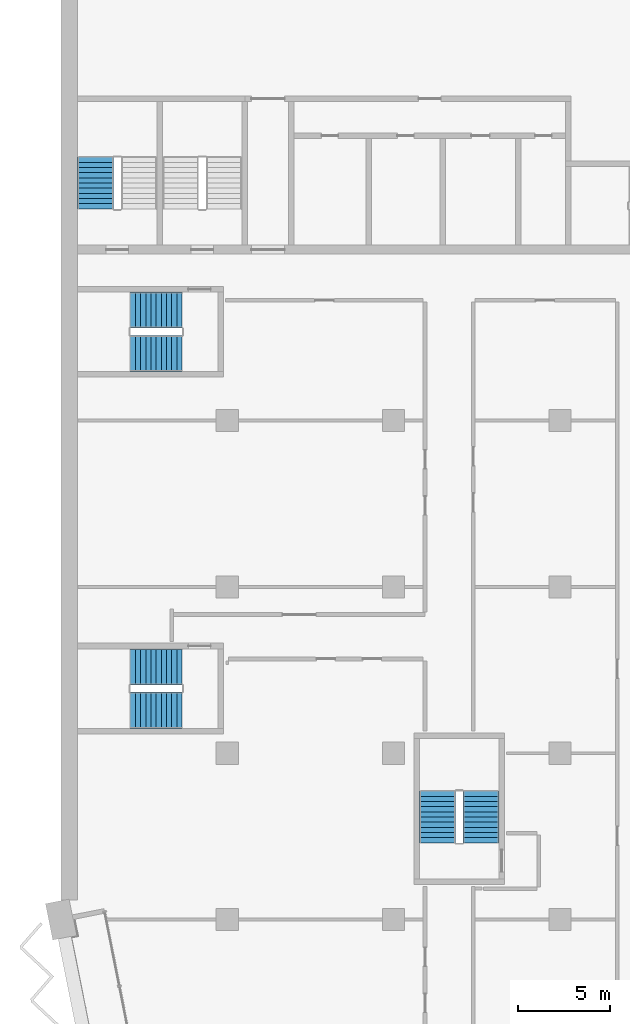
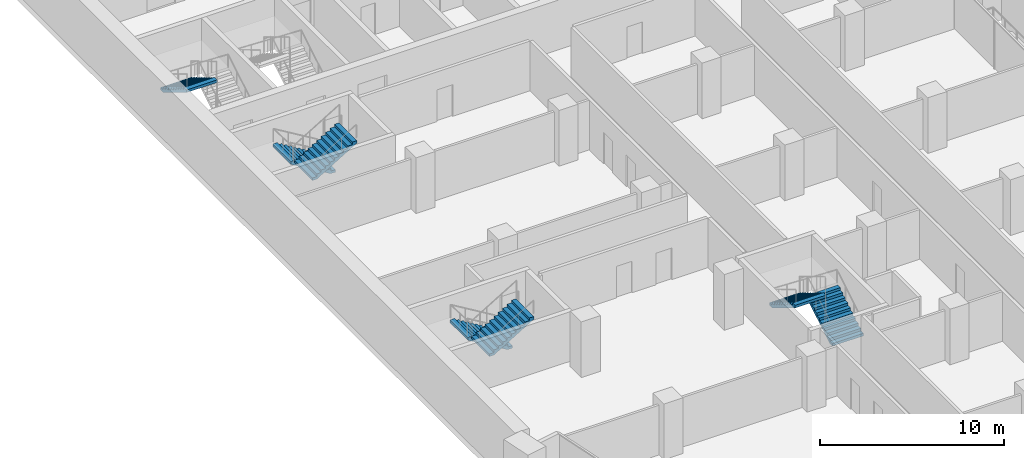
# One storey, part 16 of 23: 7 stair flights, 4 elements without a shape of their own.
"""IFC4 building model written with IfcOpenShell, lengths in metres."""

import ifcopenshell
import ifcopenshell.guid

model = None  # the IFC model being written
_history = None  # IfcOwnerHistory: only IFC2X3 demands one
_inside = {}  # id of a spatial element -> (the spatial element, [elements in it])
_under = {}  # id of a project, library or spatial element -> (it, [spatial elements below it])
_declared = {}  # id of a project -> (the project, [libraries it declares])
_typed = {}  # id of a type object -> (the type object, [elements of that type])
_made_of = {}  # id of a material, layer set ... -> (it, [elements and type objects made of it])


def new_model(schema):
    """Start an empty IFC model of exactly this schema.

    Asked for "IFC4X3", IfcOpenShell would pick the latest addendum, in which some entities
    have other attributes; the version numbers below select the first issue.
    IFC2X3 requires an IfcOwnerHistory on every rooted entity: one is made here for all.
    """
    global model, _history
    if schema == "IFC4X3":
        model = ifcopenshell.file(schema_version=(4, 3, 0, 0))
    else:
        model = ifcopenshell.file(schema=schema)
    _inside.clear()
    _under.clear()
    _declared.clear()
    _typed.clear()
    _made_of.clear()
    _history = None
    if model.schema == "IFC2X3":
        org = make("IfcOrganization", Name="unknown")
        user = make(
            "IfcPersonAndOrganization",
            ThePerson=make("IfcPerson", FamilyName="unknown"),
            TheOrganization=org,
        )
        app = make(
            "IfcApplication",
            ApplicationDeveloper=org,
            Version="unknown",
            ApplicationFullName="unknown",
            ApplicationIdentifier="unknown",
        )
        _history = make(
            "IfcOwnerHistory",
            OwningUser=user,
            OwningApplication=app,
            ChangeAction="ADDED",
            CreationDate=0,
        )
    return model


def make(cls, **values):
    """One entity of the class cls with the attributes given. An attribute that is None is left unset."""
    return model.create_entity(
        cls, **{name: value for name, value in values.items() if value is not None}
    )


def rooted(cls, **values):
    """An entity with a GlobalId (a new one), such as an element, a storey or a relation."""
    return make(cls, GlobalId=ifcopenshell.guid.new(), OwnerHistory=_history, **values)


def si_unit(unit_type, name, prefix=None):
    """IfcSIUnit, for example si_unit("LENGTHUNIT", "METRE", prefix="MILLI")."""
    return make("IfcSIUnit", UnitType=unit_type, Prefix=prefix, Name=name)


def assignment(units):
    """IfcUnitAssignment: the units of a project."""
    return None if units is None else make("IfcUnitAssignment", Units=units)


def point(xyz):
    """IfcCartesianPoint."""
    return None if xyz is None else make("IfcCartesianPoint", Coordinates=xyz)


def direction(xyz):
    """IfcDirection."""
    return None if xyz is None else make("IfcDirection", DirectionRatios=xyz)


def frame(location, z_axis=None, x_axis=None):
    """IfcAxis2Placement3D, a coordinate frame: its origin and axes. An axis left out is left unset."""
    return make(
        "IfcAxis2Placement3D",
        Location=point(location),
        Axis=direction(z_axis),
        RefDirection=direction(x_axis),
    )


def origin():
    """The frame at (0, 0, 0) with its axes left unset."""
    return frame((0.0, 0.0, 0.0))


def place(relative_to, where):
    """IfcLocalPlacement: puts the frame where relative to a parent placement (None: the world)."""
    return make(
        "IfcLocalPlacement", PlacementRelTo=relative_to, RelativePlacement=where
    )


def context(
    kind, dimensions, precision=None, world=None, true_north=None, identifier=None
):
    """IfcGeometricRepresentationContext, for example the 3D "Model" context."""
    return make(
        "IfcGeometricRepresentationContext",
        ContextIdentifier=identifier,
        ContextType=kind,
        CoordinateSpaceDimension=dimensions,
        Precision=precision,
        WorldCoordinateSystem=world,
        TrueNorth=true_north,
    )


def subcontext(parent, identifier, kind, view, scale=None):
    """IfcGeometricRepresentationSubContext, for example "Body" below "Model"."""
    return make(
        "IfcGeometricRepresentationSubContext",
        ContextIdentifier=identifier,
        ContextType=kind,
        ParentContext=parent,
        TargetScale=scale,
        TargetView=view,
    )


def project(units=None, contexts=None):
    """IfcProject with its units and contexts."""
    return rooted(
        "IfcProject",
        Name="project",
        RepresentationContexts=contexts,
        UnitsInContext=assignment(units),
    )


def spatial(cls, under=None, at=None, **own):
    """A site, building, storey or space (cls), placed at a placement, below another one or the project."""
    s = rooted(cls, ObjectPlacement=at, **own)
    if under is not None:
        _under.setdefault(under.id(), (under, []))[1].append(s)
    return s


def polyline(points):
    """IfcPolyline through the points."""
    return make("IfcPolyline", Points=[point(p) for p in points])


def outline(outer, holes=None, kind="AREA"):
    """IfcArbitraryClosedProfileDef: a profile drawn as a closed curve; with holes, ...WithVoids."""
    if holes is None:
        return make("IfcArbitraryClosedProfileDef", ProfileType=kind, OuterCurve=outer)
    return make(
        "IfcArbitraryProfileDefWithVoids",
        ProfileType=kind,
        OuterCurve=outer,
        InnerCurves=holes,
    )


def extrude(swept, where, along, depth):
    """IfcExtrudedAreaSolid: the profile swept, set in the frame where, extruded along a direction by depth."""
    return make(
        "IfcExtrudedAreaSolid",
        SweptArea=swept,
        Position=where,
        ExtrudedDirection=direction(along),
        Depth=depth,
    )


def shape(context_of_items, identifier, shape_type, items):
    """IfcShapeRepresentation: the items that make up one representation, for example the "Body"."""
    return make(
        "IfcShapeRepresentation",
        ContextOfItems=context_of_items,
        RepresentationIdentifier=identifier,
        RepresentationType=shape_type,
        Items=items,
    )


def material(Name=None, Category=None):
    """IfcMaterial."""
    return make("IfcMaterial", Name=Name, Category=Category)


def made_of(thing, what):
    """Note that an element or type object is made of a material, layer set ...; save() writes the relation."""
    if what is not None:
        _made_of.setdefault(what.id(), (what, []))[1].append(thing)
    return thing


def type_object(cls, material=None, **own):
    """A type object (cls), such as IfcWallType, which elements share."""
    return made_of(rooted(cls, **own), material)


def element(
    cls,
    number,
    at=None,
    inside=None,
    cuts=None,
    type_object=None,
    material=None,
    context=None,
    identifier="Body",
    shape_type=None,
    held_by="IfcProductDefinitionShape",
    body=None,
    shapes=None,
    **own,
):
    """One element of the class cls, such as IfcWall. Its Tag is "e" and its number.

    at: its placement. inside: the storey or other place that contains it. cuts: it is an
    opening in that element (IfcRelVoidsElement). A single representation is given by context,
    identifier, shape_type and body (its items); several are given by shapes. held_by: the class
    of the entity that holds the representations. save() writes the other relations.
    """
    e = rooted(cls, Tag="e%d" % number, ObjectPlacement=at, **own)
    if body is not None:
        shapes = [shape(context, identifier, shape_type, body)]
    if shapes is not None:
        e.Representation = make(held_by, Representations=shapes)
    if inside is not None:
        _inside.setdefault(inside.id(), (inside, []))[1].append(e)
    if cuts is not None:
        rooted(
            "IfcRelVoidsElement", RelatingBuildingElement=cuts, RelatedOpeningElement=e
        )
    if type_object is not None:
        _typed.setdefault(type_object.id(), (type_object, []))[1].append(e)
    return made_of(e, material)


def aggregate(whole, parts):
    """IfcRelAggregates: a whole, such as a stair, and the parts it consists of."""
    return rooted("IfcRelAggregates", RelatingObject=whole, RelatedObjects=parts)


def save(model, path):
    """Write the relations noted so far, then the file.

    IfcRelAggregates (storeys below a building ...), IfcRelContainedInSpatialStructure (elements
    in a storey), IfcRelDefinesByType, IfcRelAssociatesMaterial and IfcRelDeclares: one each for
    every whole, place, type object, material and project.
    """
    for whole, parts in _under.values():
        aggregate(whole, parts)
    for where, things in _inside.values():
        rooted(
            "IfcRelContainedInSpatialStructure",
            RelatedElements=things,
            RelatingStructure=where,
        )
    for kind, things in _typed.values():
        rooted("IfcRelDefinesByType", RelatedObjects=things, RelatingType=kind)
    for what, things in _made_of.values():
        rooted("IfcRelAssociatesMaterial", RelatedObjects=things, RelatingMaterial=what)
    for by, libraries in _declared.values():
        rooted("IfcRelDeclares", RelatingContext=by, RelatedDefinitions=libraries)
    model.write(path)


model = new_model("IFC4")

# Units and contexts
model_context = context("Model", 3, precision=1e-05, world=origin(), true_north=direction((0.0, 1.0)))
body_context = subcontext(model_context, "Body", "Model", "MODEL_VIEW")
ifc_project = project(units=[si_unit("LENGTHUNIT", "METRE"), si_unit("AREAUNIT", "SQUARE_METRE"), si_unit("VOLUMEUNIT", "CUBIC_METRE"), si_unit("PLANEANGLEUNIT", "RADIAN"), si_unit("MASSUNIT", "GRAM", prefix="KILO")], contexts=[model_context])

# Site, building, storey
site_placement = place(None, origin())
site = spatial("IfcSite", under=ifc_project, at=site_placement, CompositionType="ELEMENT")
building_placement = place(site_placement, origin())
building = spatial("IfcBuilding", under=site, at=building_placement, Name="Hunhe Ridgeline Campus", CompositionType="ELEMENT")
storey_placement = place(building_placement, frame((0.0, 0.0, 144.89990234375)))
storey = spatial("IfcBuildingStorey", under=building, at=storey_placement, Name="L36", CompositionType="ELEMENT", Elevation=144.89990234375)

# Stair, stair flight
ifc_material = material(Name="Concrete C40", Category="concrete")
stair_type = type_object("IfcStairType", Name="Reinforced concrete dog-leg stair 1950 Concrete C40", PredefinedType="HALF_TURN_STAIR", material=ifc_material)
stair_1_placement = place(storey_placement, origin())
stair_1 = element("IfcStair", 1, at=stair_1_placement, inside=storey, type_object=stair_type, Name="L36 S3", PredefinedType="HALF_TURN_STAIR")
stair_flight_type = type_object("IfcStairFlightType", Name="Reinforced concrete stair flight 1950 Concrete C40", PredefinedType="STRAIGHT", material=ifc_material)
stair_flight_1_placement = place(storey_placement, frame((1.875, 68.25, 1.85009765625), z_axis=(0.0, 0.0, 1.0), x_axis=(0.0, -1.0, 0.0)))
stair_flight_1 = element("IfcStairFlight", 2, at=stair_flight_1_placement, type_object=stair_flight_type, Name="ST3 flight 2", NumberOfRisers=11, NumberOfTreads=10, PredefinedType="STRAIGHT", RiserHeight=0.168181818, TreadLength=0.28, context=body_context, shape_type="SweptSolid", body=[
    extrude(outline(polyline([(0.0, 0.0), (0.0, 0.168212890625), (0.280029296875, 0.168212890625), (0.280029296875, 0.33642578125), (0.56005859375, 0.33642578125), (0.56005859375, 0.504638671875), (0.840087890625, 0.504638671875), (0.840087890625, 0.672607421875), (1.1201171875, 0.672607421875), (1.1201171875, 0.8408203125), (1.39990234375, 0.8408203125), (1.39990234375, 1.009033203125), (1.679931640625, 1.009033203125), (1.679931640625, 1.17724609375), (1.9599609375, 1.17724609375), (1.9599609375, 1.345458984375), (2.239990234375, 1.345458984375), (2.239990234375, 1.513671875), (2.52001953125, 1.513671875), (2.52001953125, 1.681884765625), (2.800048828125, 1.681884765625), (2.800048828125, 1.85009765625), (2.800048828125, 1.5068359375), (0.291015625, 0.0), (0.0, 0.0)])), frame((0.0, 0.97509765625, 0.0), z_axis=(0.0, -1.0, 0.0), x_axis=(1.0, 0.0, 0.0)), (0.0, 0.0, 1.0), 1.949951171875),
    extrude(outline(polyline([(0.030029296875, 0.030029296875), (0.030029296875, 0.13818359375), (0.31005859375, 0.13818359375), (0.31005859375, 0.306396484375), (0.590087890625, 0.306396484375), (0.590087890625, 0.474609375), (0.8701171875, 0.474609375), (0.8701171875, 0.642578125), (1.14990234375, 0.642578125), (1.14990234375, 0.810791015625), (1.429931640625, 0.810791015625), (1.429931640625, 0.97900390625), (1.7099609375, 0.97900390625), (1.7099609375, 1.147216796875), (1.989990234375, 1.147216796875), (1.989990234375, 1.3154296875), (2.27001953125, 1.3154296875), (2.27001953125, 1.483642578125), (2.550048828125, 1.483642578125), (2.550048828125, 1.65185546875), (2.77001953125, 1.65185546875), (2.77001953125, 1.52392578125), (0.28271484375, 0.030029296875), (0.030029296875, 0.030029296875)])), frame((0.0, -0.070068359375, 0.0), z_axis=(0.0, -1.0, 0.0), x_axis=(1.0, 0.0, 0.0)), (0.0, 0.0, 1.0), 0.019775390625),
    extrude(outline(polyline([(0.030029296875, 0.030029296875), (0.030029296875, 0.13818359375), (0.31005859375, 0.13818359375), (0.31005859375, 0.306396484375), (0.590087890625, 0.306396484375), (0.590087890625, 0.474609375), (0.8701171875, 0.474609375), (0.8701171875, 0.642578125), (1.14990234375, 0.642578125), (1.14990234375, 0.810791015625), (1.429931640625, 0.810791015625), (1.429931640625, 0.97900390625), (1.7099609375, 0.97900390625), (1.7099609375, 1.147216796875), (1.989990234375, 1.147216796875), (1.989990234375, 1.3154296875), (2.27001953125, 1.3154296875), (2.27001953125, 1.483642578125), (2.550048828125, 1.483642578125), (2.550048828125, 1.65185546875), (2.77001953125, 1.65185546875), (2.77001953125, 1.52392578125), (0.28271484375, 0.030029296875), (0.030029296875, 0.030029296875)])), frame((0.0, 0.010009765625, 0.0), z_axis=(0.0, -1.0, 0.0), x_axis=(1.0, 0.0, 0.0)), (0.0, 0.0, 1.0), 0.019775390625),
    extrude(outline(polyline([(0.030029296875, 0.030029296875), (0.030029296875, 0.13818359375), (0.31005859375, 0.13818359375), (0.31005859375, 0.306396484375), (0.590087890625, 0.306396484375), (0.590087890625, 0.474609375), (0.8701171875, 0.474609375), (0.8701171875, 0.642578125), (1.14990234375, 0.642578125), (1.14990234375, 0.810791015625), (1.429931640625, 0.810791015625), (1.429931640625, 0.97900390625), (1.7099609375, 0.97900390625), (1.7099609375, 1.147216796875), (1.989990234375, 1.147216796875), (1.989990234375, 1.3154296875), (2.27001953125, 1.3154296875), (2.27001953125, 1.483642578125), (2.550048828125, 1.483642578125), (2.550048828125, 1.65185546875), (2.77001953125, 1.65185546875), (2.77001953125, 1.52392578125), (0.28271484375, 0.030029296875), (0.030029296875, 0.030029296875)])), frame((0.0, 0.090087890625, 0.0), z_axis=(0.0, -1.0, 0.0), x_axis=(1.0, 0.0, 0.0)), (0.0, 0.0, 1.0), 0.019775390625),
])
aggregate(stair_1, [stair_flight_1])

# Stair, stair flights
stair_2_placement = place(storey_placement, origin())
stair_2 = element("IfcStair", 3, at=stair_2_placement, inside=storey, type_object=stair_type, Name="L36 W3", PredefinedType="HALF_TURN_STAIR")
stair_flight_2_placement = place(storey_placement, frame((22.72509765625, 31.14990234375, 0.0), z_axis=(0.0, 0.0, 1.0), x_axis=(0.0, 1.0, 0.0)))
stair_flight_2 = element("IfcStairFlight", 4, at=stair_flight_2_placement, type_object=stair_flight_type, Name="ST9 flight 1", NumberOfRisers=11, NumberOfTreads=10, PredefinedType="STRAIGHT", RiserHeight=0.168181818, TreadLength=0.28, context=body_context, shape_type="SweptSolid", body=[
    extrude(outline(polyline([(0.0, 0.0), (0.0, 0.168212890625), (0.280029296875, 0.168212890625), (0.280029296875, 0.33642578125), (0.56005859375, 0.33642578125), (0.56005859375, 0.504638671875), (0.840087890625, 0.504638671875), (0.840087890625, 0.672607421875), (1.1201171875, 0.672607421875), (1.1201171875, 0.8408203125), (1.39990234375, 0.8408203125), (1.39990234375, 1.009033203125), (1.679931640625, 1.009033203125), (1.679931640625, 1.17724609375), (1.9599609375, 1.17724609375), (1.9599609375, 1.345458984375), (2.239990234375, 1.345458984375), (2.239990234375, 1.513671875), (2.52001953125, 1.513671875), (2.52001953125, 1.681884765625), (2.800048828125, 1.681884765625), (2.800048828125, 1.85009765625), (2.800048828125, 1.5068359375), (0.291015625, 0.0), (0.0, 0.0)])), frame((0.0, 0.97509765625, 0.0), z_axis=(0.0, -1.0, 0.0), x_axis=(1.0, 0.0, 0.0)), (0.0, 0.0, 1.0), 1.949951171875),
    extrude(outline(polyline([(0.030029296875, 0.030029296875), (0.030029296875, 0.13818359375), (0.31005859375, 0.13818359375), (0.31005859375, 0.306396484375), (0.590087890625, 0.306396484375), (0.590087890625, 0.474609375), (0.8701171875, 0.474609375), (0.8701171875, 0.642578125), (1.14990234375, 0.642578125), (1.14990234375, 0.810791015625), (1.429931640625, 0.810791015625), (1.429931640625, 0.97900390625), (1.7099609375, 0.97900390625), (1.7099609375, 1.147216796875), (1.989990234375, 1.147216796875), (1.989990234375, 1.3154296875), (2.27001953125, 1.3154296875), (2.27001953125, 1.483642578125), (2.550048828125, 1.483642578125), (2.550048828125, 1.65185546875), (2.77001953125, 1.65185546875), (2.77001953125, 1.52392578125), (0.28271484375, 0.030029296875), (0.030029296875, 0.030029296875)])), frame((0.0, -0.070068359375, 0.0), z_axis=(0.0, -1.0, 0.0), x_axis=(1.0, 0.0, 0.0)), (0.0, 0.0, 1.0), 0.019775390625),
    extrude(outline(polyline([(0.030029296875, 0.030029296875), (0.030029296875, 0.13818359375), (0.31005859375, 0.13818359375), (0.31005859375, 0.306396484375), (0.590087890625, 0.306396484375), (0.590087890625, 0.474609375), (0.8701171875, 0.474609375), (0.8701171875, 0.642578125), (1.14990234375, 0.642578125), (1.14990234375, 0.810791015625), (1.429931640625, 0.810791015625), (1.429931640625, 0.97900390625), (1.7099609375, 0.97900390625), (1.7099609375, 1.147216796875), (1.989990234375, 1.147216796875), (1.989990234375, 1.3154296875), (2.27001953125, 1.3154296875), (2.27001953125, 1.483642578125), (2.550048828125, 1.483642578125), (2.550048828125, 1.65185546875), (2.77001953125, 1.65185546875), (2.77001953125, 1.52392578125), (0.28271484375, 0.030029296875), (0.030029296875, 0.030029296875)])), frame((0.0, 0.010009765625, 0.0), z_axis=(0.0, -1.0, 0.0), x_axis=(1.0, 0.0, 0.0)), (0.0, 0.0, 1.0), 0.019775390625),
    extrude(outline(polyline([(0.030029296875, 0.030029296875), (0.030029296875, 0.13818359375), (0.31005859375, 0.13818359375), (0.31005859375, 0.306396484375), (0.590087890625, 0.306396484375), (0.590087890625, 0.474609375), (0.8701171875, 0.474609375), (0.8701171875, 0.642578125), (1.14990234375, 0.642578125), (1.14990234375, 0.810791015625), (1.429931640625, 0.810791015625), (1.429931640625, 0.97900390625), (1.7099609375, 0.97900390625), (1.7099609375, 1.147216796875), (1.989990234375, 1.147216796875), (1.989990234375, 1.3154296875), (2.27001953125, 1.3154296875), (2.27001953125, 1.483642578125), (2.550048828125, 1.483642578125), (2.550048828125, 1.65185546875), (2.77001953125, 1.65185546875), (2.77001953125, 1.52392578125), (0.28271484375, 0.030029296875), (0.030029296875, 0.030029296875)])), frame((0.0, 0.090087890625, 0.0), z_axis=(0.0, -1.0, 0.0), x_axis=(1.0, 0.0, 0.0)), (0.0, 0.0, 1.0), 0.019775390625),
])
stair_flight_3_placement = place(storey_placement, frame((20.375, 33.949951171875, 1.85009765625), z_axis=(0.0, 0.0, 1.0), x_axis=(0.0, -1.0, 0.0)))
stair_flight_3 = element("IfcStairFlight", 5, at=stair_flight_3_placement, type_object=stair_flight_type, Name="ST9 flight 2", NumberOfRisers=11, NumberOfTreads=10, PredefinedType="STRAIGHT", RiserHeight=0.168181818, TreadLength=0.28, context=body_context, shape_type="SweptSolid", body=[
    extrude(outline(polyline([(0.0, 0.0), (0.0, 0.168212890625), (0.280029296875, 0.168212890625), (0.280029296875, 0.33642578125), (0.56005859375, 0.33642578125), (0.56005859375, 0.504638671875), (0.840087890625, 0.504638671875), (0.840087890625, 0.672607421875), (1.1201171875, 0.672607421875), (1.1201171875, 0.8408203125), (1.39990234375, 0.8408203125), (1.39990234375, 1.009033203125), (1.679931640625, 1.009033203125), (1.679931640625, 1.17724609375), (1.9599609375, 1.17724609375), (1.9599609375, 1.345458984375), (2.239990234375, 1.345458984375), (2.239990234375, 1.513671875), (2.52001953125, 1.513671875), (2.52001953125, 1.681884765625), (2.800048828125, 1.681884765625), (2.800048828125, 1.85009765625), (2.800048828125, 1.5068359375), (0.291015625, 0.0), (0.0, 0.0)])), frame((0.0, 0.97509765625, 0.0), z_axis=(0.0, -1.0, 0.0), x_axis=(1.0, 0.0, 0.0)), (0.0, 0.0, 1.0), 1.949951171875),
    extrude(outline(polyline([(0.030029296875, 0.030029296875), (0.030029296875, 0.13818359375), (0.31005859375, 0.13818359375), (0.31005859375, 0.306396484375), (0.590087890625, 0.306396484375), (0.590087890625, 0.474609375), (0.8701171875, 0.474609375), (0.8701171875, 0.642578125), (1.14990234375, 0.642578125), (1.14990234375, 0.810791015625), (1.429931640625, 0.810791015625), (1.429931640625, 0.97900390625), (1.7099609375, 0.97900390625), (1.7099609375, 1.147216796875), (1.989990234375, 1.147216796875), (1.989990234375, 1.3154296875), (2.27001953125, 1.3154296875), (2.27001953125, 1.483642578125), (2.550048828125, 1.483642578125), (2.550048828125, 1.65185546875), (2.77001953125, 1.65185546875), (2.77001953125, 1.52392578125), (0.28271484375, 0.030029296875), (0.030029296875, 0.030029296875)])), frame((0.0, -0.070068359375, 0.0), z_axis=(0.0, -1.0, 0.0), x_axis=(1.0, 0.0, 0.0)), (0.0, 0.0, 1.0), 0.019775390625),
    extrude(outline(polyline([(0.030029296875, 0.030029296875), (0.030029296875, 0.13818359375), (0.31005859375, 0.13818359375), (0.31005859375, 0.306396484375), (0.590087890625, 0.306396484375), (0.590087890625, 0.474609375), (0.8701171875, 0.474609375), (0.8701171875, 0.642578125), (1.14990234375, 0.642578125), (1.14990234375, 0.810791015625), (1.429931640625, 0.810791015625), (1.429931640625, 0.97900390625), (1.7099609375, 0.97900390625), (1.7099609375, 1.147216796875), (1.989990234375, 1.147216796875), (1.989990234375, 1.3154296875), (2.27001953125, 1.3154296875), (2.27001953125, 1.483642578125), (2.550048828125, 1.483642578125), (2.550048828125, 1.65185546875), (2.77001953125, 1.65185546875), (2.77001953125, 1.52392578125), (0.28271484375, 0.030029296875), (0.030029296875, 0.030029296875)])), frame((0.0, 0.010009765625, 0.0), z_axis=(0.0, -1.0, 0.0), x_axis=(1.0, 0.0, 0.0)), (0.0, 0.0, 1.0), 0.019775390625),
    extrude(outline(polyline([(0.030029296875, 0.030029296875), (0.030029296875, 0.13818359375), (0.31005859375, 0.13818359375), (0.31005859375, 0.306396484375), (0.590087890625, 0.306396484375), (0.590087890625, 0.474609375), (0.8701171875, 0.474609375), (0.8701171875, 0.642578125), (1.14990234375, 0.642578125), (1.14990234375, 0.810791015625), (1.429931640625, 0.810791015625), (1.429931640625, 0.97900390625), (1.7099609375, 0.97900390625), (1.7099609375, 1.147216796875), (1.989990234375, 1.147216796875), (1.989990234375, 1.3154296875), (2.27001953125, 1.3154296875), (2.27001953125, 1.483642578125), (2.550048828125, 1.483642578125), (2.550048828125, 1.65185546875), (2.77001953125, 1.65185546875), (2.77001953125, 1.52392578125), (0.28271484375, 0.030029296875), (0.030029296875, 0.030029296875)])), frame((0.0, 0.090087890625, 0.0), z_axis=(0.0, -1.0, 0.0), x_axis=(1.0, 0.0, 0.0)), (0.0, 0.0, 1.0), 0.019775390625),
])
aggregate(stair_2, [stair_flight_2, stair_flight_3])

stair_3_placement = place(storey_placement, origin())
stair_3 = element("IfcStair", 6, at=stair_3_placement, inside=storey, type_object=stair_type, Name="L36 W1", PredefinedType="HALF_TURN_STAIR")
stair_flight_4_placement = place(storey_placement, frame((6.550048828125, 40.675048828125, 0.0), z_axis=(0.0, 0.0, 1.0), x_axis=(-1.0, 0.0, 0.0)))
stair_flight_4 = element("IfcStairFlight", 7, at=stair_flight_4_placement, type_object=stair_flight_type, Name="ST11 flight 1", NumberOfRisers=11, NumberOfTreads=10, PredefinedType="STRAIGHT", RiserHeight=0.168181818, TreadLength=0.28, context=body_context, shape_type="SweptSolid", body=[
    extrude(outline(polyline([(0.0, 0.0), (0.0, 0.168212890625), (0.280029296875, 0.168212890625), (0.280029296875, 0.33642578125), (0.56005859375, 0.33642578125), (0.56005859375, 0.504638671875), (0.840087890625, 0.504638671875), (0.840087890625, 0.672607421875), (1.1201171875, 0.672607421875), (1.1201171875, 0.8408203125), (1.39990234375, 0.8408203125), (1.39990234375, 1.009033203125), (1.679931640625, 1.009033203125), (1.679931640625, 1.17724609375), (1.9599609375, 1.17724609375), (1.9599609375, 1.345458984375), (2.239990234375, 1.345458984375), (2.239990234375, 1.513671875), (2.52001953125, 1.513671875), (2.52001953125, 1.681884765625), (2.800048828125, 1.681884765625), (2.800048828125, 1.85009765625), (2.800048828125, 1.5068359375), (0.291015625, 0.0), (0.0, 0.0)])), frame((0.0, 0.97509765625, 0.0), z_axis=(0.0, -1.0, 0.0), x_axis=(1.0, 0.0, 0.0)), (0.0, 0.0, 1.0), 1.949951171875),
    extrude(outline(polyline([(0.030029296875, 0.030029296875), (0.030029296875, 0.13818359375), (0.31005859375, 0.13818359375), (0.31005859375, 0.306396484375), (0.590087890625, 0.306396484375), (0.590087890625, 0.474609375), (0.8701171875, 0.474609375), (0.8701171875, 0.642578125), (1.14990234375, 0.642578125), (1.14990234375, 0.810791015625), (1.429931640625, 0.810791015625), (1.429931640625, 0.97900390625), (1.7099609375, 0.97900390625), (1.7099609375, 1.147216796875), (1.989990234375, 1.147216796875), (1.989990234375, 1.3154296875), (2.27001953125, 1.3154296875), (2.27001953125, 1.483642578125), (2.550048828125, 1.483642578125), (2.550048828125, 1.65185546875), (2.77001953125, 1.65185546875), (2.77001953125, 1.52392578125), (0.28271484375, 0.030029296875), (0.030029296875, 0.030029296875)])), frame((0.0, -0.070068359375, 0.0), z_axis=(0.0, -1.0, 0.0), x_axis=(1.0, 0.0, 0.0)), (0.0, 0.0, 1.0), 0.019775390625),
    extrude(outline(polyline([(0.030029296875, 0.030029296875), (0.030029296875, 0.13818359375), (0.31005859375, 0.13818359375), (0.31005859375, 0.306396484375), (0.590087890625, 0.306396484375), (0.590087890625, 0.474609375), (0.8701171875, 0.474609375), (0.8701171875, 0.642578125), (1.14990234375, 0.642578125), (1.14990234375, 0.810791015625), (1.429931640625, 0.810791015625), (1.429931640625, 0.97900390625), (1.7099609375, 0.97900390625), (1.7099609375, 1.147216796875), (1.989990234375, 1.147216796875), (1.989990234375, 1.3154296875), (2.27001953125, 1.3154296875), (2.27001953125, 1.483642578125), (2.550048828125, 1.483642578125), (2.550048828125, 1.65185546875), (2.77001953125, 1.65185546875), (2.77001953125, 1.52392578125), (0.28271484375, 0.030029296875), (0.030029296875, 0.030029296875)])), frame((0.0, 0.010009765625, 0.0), z_axis=(0.0, -1.0, 0.0), x_axis=(1.0, 0.0, 0.0)), (0.0, 0.0, 1.0), 0.019775390625),
    extrude(outline(polyline([(0.030029296875, 0.030029296875), (0.030029296875, 0.13818359375), (0.31005859375, 0.13818359375), (0.31005859375, 0.306396484375), (0.590087890625, 0.306396484375), (0.590087890625, 0.474609375), (0.8701171875, 0.474609375), (0.8701171875, 0.642578125), (1.14990234375, 0.642578125), (1.14990234375, 0.810791015625), (1.429931640625, 0.810791015625), (1.429931640625, 0.97900390625), (1.7099609375, 0.97900390625), (1.7099609375, 1.147216796875), (1.989990234375, 1.147216796875), (1.989990234375, 1.3154296875), (2.27001953125, 1.3154296875), (2.27001953125, 1.483642578125), (2.550048828125, 1.483642578125), (2.550048828125, 1.65185546875), (2.77001953125, 1.65185546875), (2.77001953125, 1.52392578125), (0.28271484375, 0.030029296875), (0.030029296875, 0.030029296875)])), frame((0.0, 0.090087890625, 0.0), z_axis=(0.0, -1.0, 0.0), x_axis=(1.0, 0.0, 0.0)), (0.0, 0.0, 1.0), 0.019775390625),
])
stair_flight_5_placement = place(storey_placement, frame((3.75, 38.324951171875, 1.85009765625), z_axis=(0.0, 0.0, 1.0), x_axis=(1.0, 0.0, 0.0)))
stair_flight_5 = element("IfcStairFlight", 8, at=stair_flight_5_placement, type_object=stair_flight_type, Name="ST11 flight 2", NumberOfRisers=11, NumberOfTreads=10, PredefinedType="STRAIGHT", RiserHeight=0.168181818, TreadLength=0.28, context=body_context, shape_type="SweptSolid", body=[
    extrude(outline(polyline([(0.0, 0.0), (0.0, 0.168212890625), (0.280029296875, 0.168212890625), (0.280029296875, 0.33642578125), (0.56005859375, 0.33642578125), (0.56005859375, 0.504638671875), (0.840087890625, 0.504638671875), (0.840087890625, 0.672607421875), (1.1201171875, 0.672607421875), (1.1201171875, 0.8408203125), (1.39990234375, 0.8408203125), (1.39990234375, 1.009033203125), (1.679931640625, 1.009033203125), (1.679931640625, 1.17724609375), (1.9599609375, 1.17724609375), (1.9599609375, 1.345458984375), (2.239990234375, 1.345458984375), (2.239990234375, 1.513671875), (2.52001953125, 1.513671875), (2.52001953125, 1.681884765625), (2.800048828125, 1.681884765625), (2.800048828125, 1.85009765625), (2.800048828125, 1.5068359375), (0.291015625, 0.0), (0.0, 0.0)])), frame((0.0, 0.97509765625, 0.0), z_axis=(0.0, -1.0, 0.0), x_axis=(1.0, 0.0, 0.0)), (0.0, 0.0, 1.0), 1.949951171875),
    extrude(outline(polyline([(0.030029296875, 0.030029296875), (0.030029296875, 0.13818359375), (0.31005859375, 0.13818359375), (0.31005859375, 0.306396484375), (0.590087890625, 0.306396484375), (0.590087890625, 0.474609375), (0.8701171875, 0.474609375), (0.8701171875, 0.642578125), (1.14990234375, 0.642578125), (1.14990234375, 0.810791015625), (1.429931640625, 0.810791015625), (1.429931640625, 0.97900390625), (1.7099609375, 0.97900390625), (1.7099609375, 1.147216796875), (1.989990234375, 1.147216796875), (1.989990234375, 1.3154296875), (2.27001953125, 1.3154296875), (2.27001953125, 1.483642578125), (2.550048828125, 1.483642578125), (2.550048828125, 1.65185546875), (2.77001953125, 1.65185546875), (2.77001953125, 1.52392578125), (0.28271484375, 0.030029296875), (0.030029296875, 0.030029296875)])), frame((0.0, -0.070068359375, 0.0), z_axis=(0.0, -1.0, 0.0), x_axis=(1.0, 0.0, 0.0)), (0.0, 0.0, 1.0), 0.019775390625),
    extrude(outline(polyline([(0.030029296875, 0.030029296875), (0.030029296875, 0.13818359375), (0.31005859375, 0.13818359375), (0.31005859375, 0.306396484375), (0.590087890625, 0.306396484375), (0.590087890625, 0.474609375), (0.8701171875, 0.474609375), (0.8701171875, 0.642578125), (1.14990234375, 0.642578125), (1.14990234375, 0.810791015625), (1.429931640625, 0.810791015625), (1.429931640625, 0.97900390625), (1.7099609375, 0.97900390625), (1.7099609375, 1.147216796875), (1.989990234375, 1.147216796875), (1.989990234375, 1.3154296875), (2.27001953125, 1.3154296875), (2.27001953125, 1.483642578125), (2.550048828125, 1.483642578125), (2.550048828125, 1.65185546875), (2.77001953125, 1.65185546875), (2.77001953125, 1.52392578125), (0.28271484375, 0.030029296875), (0.030029296875, 0.030029296875)])), frame((0.0, 0.010009765625, 0.0), z_axis=(0.0, -1.0, 0.0), x_axis=(1.0, 0.0, 0.0)), (0.0, 0.0, 1.0), 0.019775390625),
    extrude(outline(polyline([(0.030029296875, 0.030029296875), (0.030029296875, 0.13818359375), (0.31005859375, 0.13818359375), (0.31005859375, 0.306396484375), (0.590087890625, 0.306396484375), (0.590087890625, 0.474609375), (0.8701171875, 0.474609375), (0.8701171875, 0.642578125), (1.14990234375, 0.642578125), (1.14990234375, 0.810791015625), (1.429931640625, 0.810791015625), (1.429931640625, 0.97900390625), (1.7099609375, 0.97900390625), (1.7099609375, 1.147216796875), (1.989990234375, 1.147216796875), (1.989990234375, 1.3154296875), (2.27001953125, 1.3154296875), (2.27001953125, 1.483642578125), (2.550048828125, 1.483642578125), (2.550048828125, 1.65185546875), (2.77001953125, 1.65185546875), (2.77001953125, 1.52392578125), (0.28271484375, 0.030029296875), (0.030029296875, 0.030029296875)])), frame((0.0, 0.090087890625, 0.0), z_axis=(0.0, -1.0, 0.0), x_axis=(1.0, 0.0, 0.0)), (0.0, 0.0, 1.0), 0.019775390625),
])
aggregate(stair_3, [stair_flight_4, stair_flight_5])

stair_4_placement = place(storey_placement, origin())
stair_4 = element("IfcStair", 9, at=stair_4_placement, inside=storey, type_object=stair_type, Name="L36 W2", PredefinedType="HALF_TURN_STAIR")
stair_flight_6_placement = place(storey_placement, frame((6.550048828125, 59.97509765625, 0.0), z_axis=(0.0, 0.0, 1.0), x_axis=(-1.0, 0.0, 0.0)))
stair_flight_6 = element("IfcStairFlight", 10, at=stair_flight_6_placement, type_object=stair_flight_type, Name="ST12 flight 1", NumberOfRisers=11, NumberOfTreads=10, PredefinedType="STRAIGHT", RiserHeight=0.168181818, TreadLength=0.28, context=body_context, shape_type="SweptSolid", body=[
    extrude(outline(polyline([(0.0, 0.0), (0.0, 0.168212890625), (0.280029296875, 0.168212890625), (0.280029296875, 0.33642578125), (0.56005859375, 0.33642578125), (0.56005859375, 0.504638671875), (0.840087890625, 0.504638671875), (0.840087890625, 0.672607421875), (1.1201171875, 0.672607421875), (1.1201171875, 0.8408203125), (1.39990234375, 0.8408203125), (1.39990234375, 1.009033203125), (1.679931640625, 1.009033203125), (1.679931640625, 1.17724609375), (1.9599609375, 1.17724609375), (1.9599609375, 1.345458984375), (2.239990234375, 1.345458984375), (2.239990234375, 1.513671875), (2.52001953125, 1.513671875), (2.52001953125, 1.681884765625), (2.800048828125, 1.681884765625), (2.800048828125, 1.85009765625), (2.800048828125, 1.5068359375), (0.291015625, 0.0), (0.0, 0.0)])), frame((0.0, 0.97509765625, 0.0), z_axis=(0.0, -1.0, 0.0), x_axis=(1.0, 0.0, 0.0)), (0.0, 0.0, 1.0), 1.949951171875),
    extrude(outline(polyline([(0.030029296875, 0.030029296875), (0.030029296875, 0.13818359375), (0.31005859375, 0.13818359375), (0.31005859375, 0.306396484375), (0.590087890625, 0.306396484375), (0.590087890625, 0.474609375), (0.8701171875, 0.474609375), (0.8701171875, 0.642578125), (1.14990234375, 0.642578125), (1.14990234375, 0.810791015625), (1.429931640625, 0.810791015625), (1.429931640625, 0.97900390625), (1.7099609375, 0.97900390625), (1.7099609375, 1.147216796875), (1.989990234375, 1.147216796875), (1.989990234375, 1.3154296875), (2.27001953125, 1.3154296875), (2.27001953125, 1.483642578125), (2.550048828125, 1.483642578125), (2.550048828125, 1.65185546875), (2.77001953125, 1.65185546875), (2.77001953125, 1.52392578125), (0.28271484375, 0.030029296875), (0.030029296875, 0.030029296875)])), frame((0.0, -0.070068359375, 0.0), z_axis=(0.0, -1.0, 0.0), x_axis=(1.0, 0.0, 0.0)), (0.0, 0.0, 1.0), 0.019775390625),
    extrude(outline(polyline([(0.030029296875, 0.030029296875), (0.030029296875, 0.13818359375), (0.31005859375, 0.13818359375), (0.31005859375, 0.306396484375), (0.590087890625, 0.306396484375), (0.590087890625, 0.474609375), (0.8701171875, 0.474609375), (0.8701171875, 0.642578125), (1.14990234375, 0.642578125), (1.14990234375, 0.810791015625), (1.429931640625, 0.810791015625), (1.429931640625, 0.97900390625), (1.7099609375, 0.97900390625), (1.7099609375, 1.147216796875), (1.989990234375, 1.147216796875), (1.989990234375, 1.3154296875), (2.27001953125, 1.3154296875), (2.27001953125, 1.483642578125), (2.550048828125, 1.483642578125), (2.550048828125, 1.65185546875), (2.77001953125, 1.65185546875), (2.77001953125, 1.52392578125), (0.28271484375, 0.030029296875), (0.030029296875, 0.030029296875)])), frame((0.0, 0.010009765625, 0.0), z_axis=(0.0, -1.0, 0.0), x_axis=(1.0, 0.0, 0.0)), (0.0, 0.0, 1.0), 0.019775390625),
    extrude(outline(polyline([(0.030029296875, 0.030029296875), (0.030029296875, 0.13818359375), (0.31005859375, 0.13818359375), (0.31005859375, 0.306396484375), (0.590087890625, 0.306396484375), (0.590087890625, 0.474609375), (0.8701171875, 0.474609375), (0.8701171875, 0.642578125), (1.14990234375, 0.642578125), (1.14990234375, 0.810791015625), (1.429931640625, 0.810791015625), (1.429931640625, 0.97900390625), (1.7099609375, 0.97900390625), (1.7099609375, 1.147216796875), (1.989990234375, 1.147216796875), (1.989990234375, 1.3154296875), (2.27001953125, 1.3154296875), (2.27001953125, 1.483642578125), (2.550048828125, 1.483642578125), (2.550048828125, 1.65185546875), (2.77001953125, 1.65185546875), (2.77001953125, 1.52392578125), (0.28271484375, 0.030029296875), (0.030029296875, 0.030029296875)])), frame((0.0, 0.090087890625, 0.0), z_axis=(0.0, -1.0, 0.0), x_axis=(1.0, 0.0, 0.0)), (0.0, 0.0, 1.0), 0.019775390625),
])
stair_flight_7_placement = place(storey_placement, frame((3.75, 57.625, 1.85009765625), z_axis=(0.0, 0.0, 1.0), x_axis=(1.0, 0.0, 0.0)))
stair_flight_7 = element("IfcStairFlight", 11, at=stair_flight_7_placement, type_object=stair_flight_type, Name="ST12 flight 2", NumberOfRisers=11, NumberOfTreads=10, PredefinedType="STRAIGHT", RiserHeight=0.168181818, TreadLength=0.28, context=body_context, shape_type="SweptSolid", body=[
    extrude(outline(polyline([(0.0, 0.0), (0.0, 0.168212890625), (0.280029296875, 0.168212890625), (0.280029296875, 0.33642578125), (0.56005859375, 0.33642578125), (0.56005859375, 0.504638671875), (0.840087890625, 0.504638671875), (0.840087890625, 0.672607421875), (1.1201171875, 0.672607421875), (1.1201171875, 0.8408203125), (1.39990234375, 0.8408203125), (1.39990234375, 1.009033203125), (1.679931640625, 1.009033203125), (1.679931640625, 1.17724609375), (1.9599609375, 1.17724609375), (1.9599609375, 1.345458984375), (2.239990234375, 1.345458984375), (2.239990234375, 1.513671875), (2.52001953125, 1.513671875), (2.52001953125, 1.681884765625), (2.800048828125, 1.681884765625), (2.800048828125, 1.85009765625), (2.800048828125, 1.5068359375), (0.291015625, 0.0), (0.0, 0.0)])), frame((0.0, 0.97509765625, 0.0), z_axis=(0.0, -1.0, 0.0), x_axis=(1.0, 0.0, 0.0)), (0.0, 0.0, 1.0), 1.949951171875),
    extrude(outline(polyline([(0.030029296875, 0.030029296875), (0.030029296875, 0.13818359375), (0.31005859375, 0.13818359375), (0.31005859375, 0.306396484375), (0.590087890625, 0.306396484375), (0.590087890625, 0.474609375), (0.8701171875, 0.474609375), (0.8701171875, 0.642578125), (1.14990234375, 0.642578125), (1.14990234375, 0.810791015625), (1.429931640625, 0.810791015625), (1.429931640625, 0.97900390625), (1.7099609375, 0.97900390625), (1.7099609375, 1.147216796875), (1.989990234375, 1.147216796875), (1.989990234375, 1.3154296875), (2.27001953125, 1.3154296875), (2.27001953125, 1.483642578125), (2.550048828125, 1.483642578125), (2.550048828125, 1.65185546875), (2.77001953125, 1.65185546875), (2.77001953125, 1.52392578125), (0.28271484375, 0.030029296875), (0.030029296875, 0.030029296875)])), frame((0.0, -0.070068359375, 0.0), z_axis=(0.0, -1.0, 0.0), x_axis=(1.0, 0.0, 0.0)), (0.0, 0.0, 1.0), 0.019775390625),
    extrude(outline(polyline([(0.030029296875, 0.030029296875), (0.030029296875, 0.13818359375), (0.31005859375, 0.13818359375), (0.31005859375, 0.306396484375), (0.590087890625, 0.306396484375), (0.590087890625, 0.474609375), (0.8701171875, 0.474609375), (0.8701171875, 0.642578125), (1.14990234375, 0.642578125), (1.14990234375, 0.810791015625), (1.429931640625, 0.810791015625), (1.429931640625, 0.97900390625), (1.7099609375, 0.97900390625), (1.7099609375, 1.147216796875), (1.989990234375, 1.147216796875), (1.989990234375, 1.3154296875), (2.27001953125, 1.3154296875), (2.27001953125, 1.483642578125), (2.550048828125, 1.483642578125), (2.550048828125, 1.65185546875), (2.77001953125, 1.65185546875), (2.77001953125, 1.52392578125), (0.28271484375, 0.030029296875), (0.030029296875, 0.030029296875)])), frame((0.0, 0.010009765625, 0.0), z_axis=(0.0, -1.0, 0.0), x_axis=(1.0, 0.0, 0.0)), (0.0, 0.0, 1.0), 0.019775390625),
    extrude(outline(polyline([(0.030029296875, 0.030029296875), (0.030029296875, 0.13818359375), (0.31005859375, 0.13818359375), (0.31005859375, 0.306396484375), (0.590087890625, 0.306396484375), (0.590087890625, 0.474609375), (0.8701171875, 0.474609375), (0.8701171875, 0.642578125), (1.14990234375, 0.642578125), (1.14990234375, 0.810791015625), (1.429931640625, 0.810791015625), (1.429931640625, 0.97900390625), (1.7099609375, 0.97900390625), (1.7099609375, 1.147216796875), (1.989990234375, 1.147216796875), (1.989990234375, 1.3154296875), (2.27001953125, 1.3154296875), (2.27001953125, 1.483642578125), (2.550048828125, 1.483642578125), (2.550048828125, 1.65185546875), (2.77001953125, 1.65185546875), (2.77001953125, 1.52392578125), (0.28271484375, 0.030029296875), (0.030029296875, 0.030029296875)])), frame((0.0, 0.090087890625, 0.0), z_axis=(0.0, -1.0, 0.0), x_axis=(1.0, 0.0, 0.0)), (0.0, 0.0, 1.0), 0.019775390625),
])
aggregate(stair_4, [stair_flight_6, stair_flight_7])

save(model, "model.ifc")
